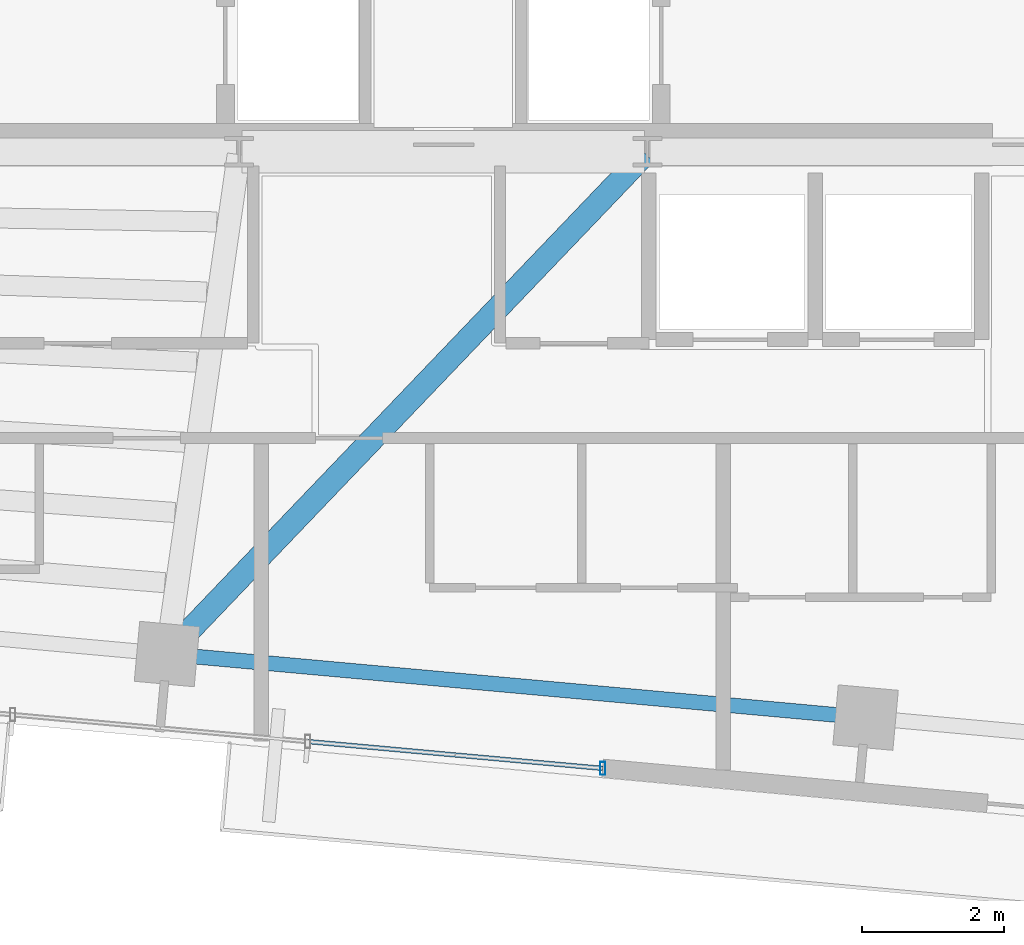
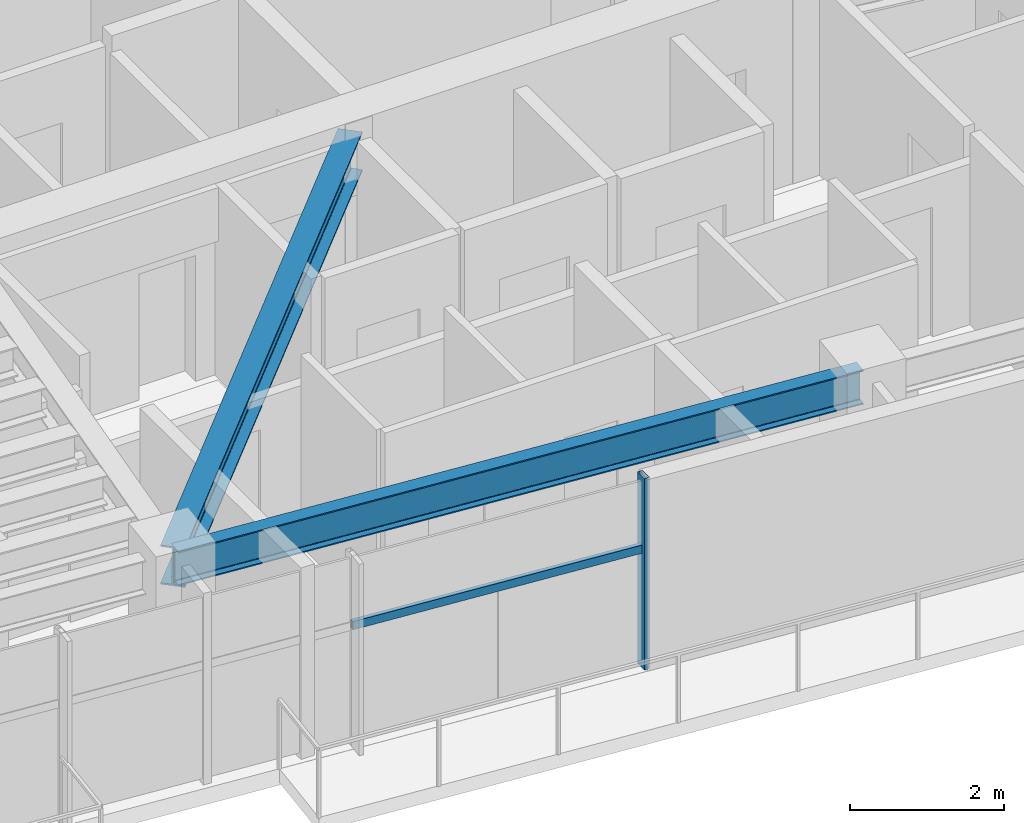
# One storey, part 7 of 22: 2 beams, 2 members, 1 element without a shape of its own.
"""IFC4 building model written with IfcOpenShell, lengths in metres."""

from ifc_helpers import new_model, si_unit, direction, frame, origin, origin_2d, place, context, subcontext, project, spatial, hollow_rectangle, i_section, extrude, source, transform, mapped, material, material_profile, profile_set, type_object, type_shapes, element, aggregate, save


model = new_model("IFC4")

# Units and contexts
model_context = context("Model", 3, precision=1e-05, world=origin(), true_north=direction((0.0, 1.0)))
body_context = subcontext(model_context, "Body", "Model", "MODEL_VIEW")
ifc_project = project(units=[si_unit("LENGTHUNIT", "METRE"), si_unit("AREAUNIT", "SQUARE_METRE"), si_unit("VOLUMEUNIT", "CUBIC_METRE"), si_unit("PLANEANGLEUNIT", "RADIAN"), si_unit("MASSUNIT", "GRAM", prefix="KILO")], contexts=[model_context])

# Site, building, storey
site_placement = place(None, origin())
site = spatial("IfcSite", under=ifc_project, at=site_placement, CompositionType="ELEMENT")
building_placement = place(site_placement, origin())
building = spatial("IfcBuilding", under=site, at=building_placement, Name="Astriad Promenade Condominiums", CompositionType="ELEMENT")
storey_placement = place(building_placement, frame((0.0, 0.0, 243.0)))
storey = spatial("IfcBuildingStorey", under=building, at=storey_placement, Name="L70", CompositionType="ELEMENT", Elevation=243.0)

# Beams
ifc_material_1 = material(Name="Steel ASTM A992 Grade 50", Category="steel")
ifc_material_profile_1 = material_profile(ifc_material_1, i_section(OverallWidth=0.210693359375, OverallDepth=0.53955078125, WebThickness=0.01171875, FlangeThickness=0.018798828125, FilletRadius=0.0166015625, at=origin_2d()), Name="W21X73")
ifc_profile_set_1 = profile_set([ifc_material_profile_1], Name="Steel ASTM A992 Grade 50")
beam_type_1 = type_object("IfcBeamType", Name="STEEL SPANDREL BEAM W21X73", PredefinedType="SPANDREL", material=ifc_profile_set_1)
shared_shape_1 = source(origin(), body_context, "Body", "SweptSolid", [
    extrude(i_section(OverallWidth=0.210693359375, OverallDepth=0.53955078125, WebThickness=0.01171875, FlangeThickness=0.018798828125, FilletRadius=0.0166015625, at=origin_2d()), origin(), (0.0, 0.0, 1.0), 9.820068359375),
])
type_shapes(beam_type_1, [shared_shape_1])
beam_1_placement = place(storey_placement, frame((32.14013671875, 10.30810546875, 2.770263671875), z_axis=(0.995885663174, -0.090618683965, 0.0), x_axis=(0.090618683965, 0.995885663174, 0.0)))
element("IfcBeam", 1, at=beam_1_placement, inside=storey, type_object=beam_type_1, Name="Perimeter Spandrel Beam SP-S3-L70", PredefinedType="SPANDREL", context=body_context, shape_type="MappedRepresentation", body=[
    mapped(shared_shape_1, transform((0.0, 0.0, 0.0), scale=1.0)),
])
ifc_material_profile_2 = material_profile(ifc_material_1, i_section(OverallWidth=0.326416015625, OverallDepth=0.621826171875, WebThickness=0.015380859375, FlangeThickness=0.0244140625, FilletRadius=0.017822265625, at=origin_2d()), Name="W24X131")
ifc_profile_set_2 = profile_set([ifc_material_profile_2], Name="Steel ASTM A992 Grade 50")
beam_type_2 = type_object("IfcBeamType", Name="STEEL FLOOR GIRDER W24X131", PredefinedType="BEAM", material=ifc_profile_set_2)
shared_shape_2 = source(origin(), body_context, "Body", "SweptSolid", [
    extrude(i_section(OverallWidth=0.326416015625, OverallDepth=0.621826171875, WebThickness=0.015380859375, FlangeThickness=0.0244140625, FilletRadius=0.017822265625, at=origin_2d()), origin(), (0.0, 0.0, 1.0), 9.728515625),
])
type_shapes(beam_type_2, [shared_shape_2])
beam_2_placement = place(storey_placement, frame((32.1279296875, 10.3408203125, 2.72900390625), z_axis=(0.691209540622, 0.722654392468, 0.0), x_axis=(-0.722654392468, 0.691209540622, 0.0)))
element("IfcBeam", 2, at=beam_2_placement, inside=storey, type_object=beam_type_2, Name="Primary Floor Girder PG-C2-L70", PredefinedType="BEAM", context=body_context, shape_type="MappedRepresentation", body=[
    mapped(shared_shape_2, transform((0.0, 0.0, 0.0), scale=1.0)),
])

# Curtain wall, members
ifc_material_2 = material(Name="Anodised aluminium Black Dark Glass Unitised", Category="aluminium")
curtain_wall_type = type_object("IfcCurtainWallType", Name="CW-B5-DARK", PredefinedType="USERDEFINED", material=ifc_material_2)
curtain_wall_placement = place(storey_placement, origin())
curtain_wall = element("IfcCurtainWall", 3, at=curtain_wall_placement, inside=storey, type_object=curtain_wall_type, Name="CW-L70-S", ObjectType="UNITISED_CURTAIN_WALL", PredefinedType="USERDEFINED")
ifc_material_3 = material(Name="Anodised aluminium 6063-T6 Black", Category="aluminium")
ifc_material_profile_3 = material_profile(ifc_material_3, hollow_rectangle(XDim=0.06494140625, YDim=0.1298828125, WallThickness=0.00390625, at=origin_2d()), Name="ALU-TRN-65X130")
ifc_profile_set_3 = profile_set([ifc_material_profile_3], Name="Anodised aluminium 6063-T6 Black")
member_type_1 = type_object("IfcMemberType", Name="TRN-ALU-TRN-65X130", PredefinedType="USERDEFINED", material=ifc_profile_set_3)
shared_shape_3 = source(origin(), body_context, "Body", "SweptSolid", [
    extrude(hollow_rectangle(XDim=0.06494140625, YDim=0.1298828125, WallThickness=0.00390625, at=origin_2d()), origin(), (0.0, 0.0, 1.0), 4.179931640625),
])
type_shapes(member_type_1, [shared_shape_3])
member_1_placement = place(storey_placement, frame((38.24951171875, 8.69775390625, 1.884765625), z_axis=(-0.995883146811, 0.090646334165, 0.0), x_axis=(-0.090646334165, -0.995883146811, 0.0)))
member_1 = element("IfcMember", 4, at=member_1_placement, type_object=member_type_1, Name="CW-L70-S-TRN-00-0", ObjectType="TRANSOM", PredefinedType="USERDEFINED", context=body_context, shape_type="MappedRepresentation", body=[
    mapped(shared_shape_3, transform((0.0, 0.0, 0.0), scale=1.0)),
])
ifc_material_profile_4 = material_profile(ifc_material_3, hollow_rectangle(XDim=0.074951171875, YDim=0.18505859375, WallThickness=0.00439453125, at=origin_2d()), Name="ALU-MUL-75X185")
ifc_profile_set_4 = profile_set([ifc_material_profile_4], Name="Anodised aluminium 6063-T6 Black")
member_type_2 = type_object("IfcMemberType", Name="MUL-ALU-MUL-75X185", PredefinedType="MULLION", material=ifc_profile_set_4)
shared_shape_4 = source(origin(), body_context, "Body", "SweptSolid", [
    extrude(hollow_rectangle(XDim=0.074951171875, YDim=0.18505859375, WallThickness=0.00439453125, at=origin_2d()), origin(), (0.0, 0.0, 1.0), 3.0400390625),
])
type_shapes(member_type_2, [shared_shape_4])
member_2_placement = place(storey_placement, frame((38.24951171875, 8.69775390625, 0.0), z_axis=(0.0, 0.0, 1.0), x_axis=(1.0, 0.0, 0.0)))
member_2 = element("IfcMember", 5, at=member_2_placement, type_object=member_type_2, Name="CW-L70-S-MUL-00", PredefinedType="MULLION", context=body_context, shape_type="MappedRepresentation", body=[
    mapped(shared_shape_4, transform((0.0, 0.0, 0.0), scale=1.0)),
])
aggregate(curtain_wall, [member_2, member_1])

save(model, "model.ifc")
